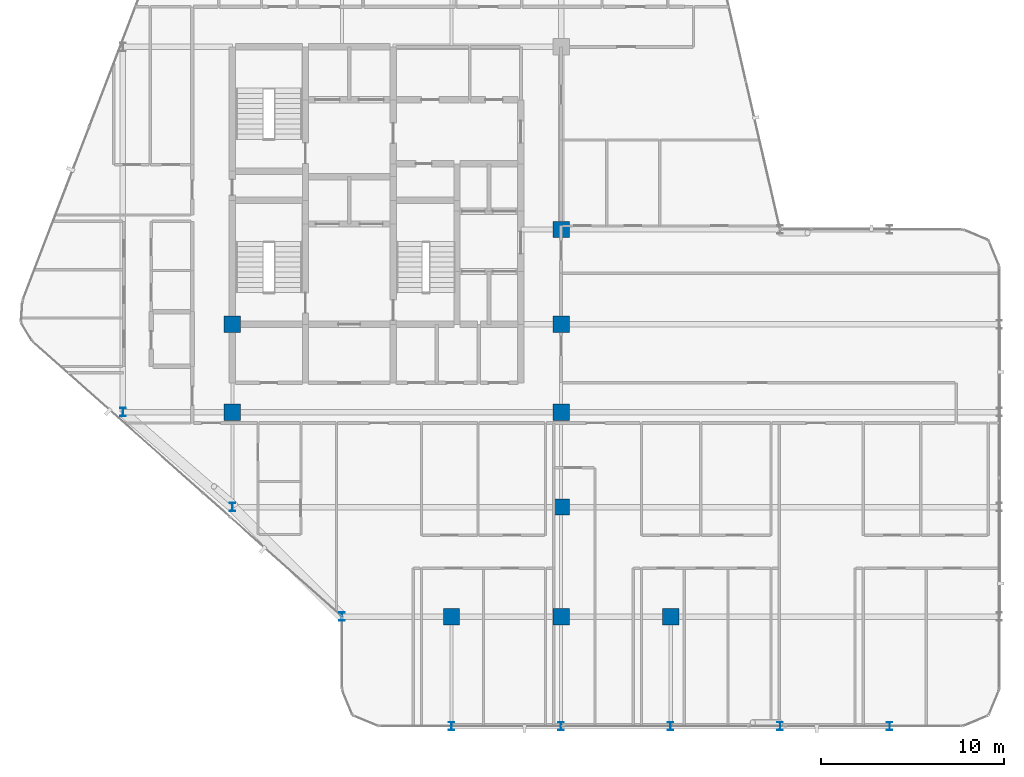
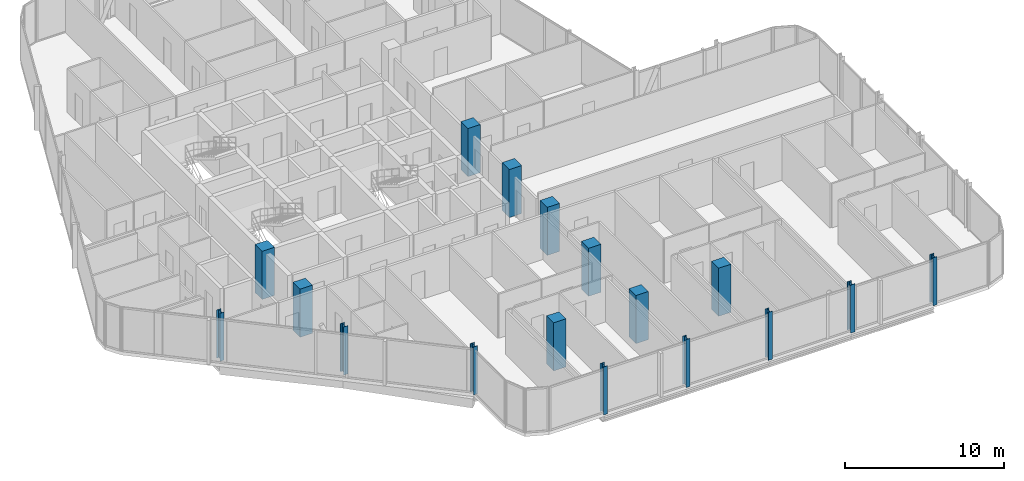
# One storey, part 1 of 29: 17 columns.
"""IFC4 building model written with IfcOpenShell, lengths in metres."""

from ifc_helpers import new_model, si_unit, direction, frame, origin, origin_2d, place, context, subcontext, project, spatial, rectangle, i_section, extrude, material, material_profile, profile_set, type_object, element, save


model = new_model("IFC4")

# Units and contexts
model_context = context("Model", 3, precision=1e-05, world=origin(), true_north=direction((0.0, 1.0)))
body_context = subcontext(model_context, "Body", "Model", "MODEL_VIEW")
ifc_project = project(units=[si_unit("LENGTHUNIT", "METRE"), si_unit("AREAUNIT", "SQUARE_METRE"), si_unit("VOLUMEUNIT", "CUBIC_METRE"), si_unit("PLANEANGLEUNIT", "RADIAN"), si_unit("MASSUNIT", "GRAM", prefix="KILO")], contexts=[model_context])

# Site, building, storey
site_placement = place(None, origin())
site = spatial("IfcSite", under=ifc_project, at=site_placement, CompositionType="ELEMENT")
building_placement = place(site_placement, origin())
building = spatial("IfcBuilding", under=site, at=building_placement, Name="Keshet Zoharim Tower", CompositionType="ELEMENT")
storey_placement = place(building_placement, frame((0.0, 0.0, 172.800048828125)))
storey = spatial("IfcBuildingStorey", under=building, at=storey_placement, Name="L42", CompositionType="ELEMENT", Elevation=172.800048828125)

# Columns
ifc_material_1 = material(Name="Steel S355", Category="steel")
ifc_material_profile_1 = material_profile(ifc_material_1, i_section(OverallWidth=0.300048828125, OverallDepth=0.449951171875, WebThickness=0.013916015625, FlangeThickness=0.02587890625, FilletRadius=0.027099609375, at=origin_2d()), Name="HEB450")
ifc_profile_set_1 = profile_set([ifc_material_profile_1], Name="Steel S355")
column_type_1 = type_object("IfcColumnType", Name="COL-HEB450", PredefinedType="COLUMN", material=ifc_profile_set_1)
for number, where, z_axis, x_axis, name in (
    (1, (9.0, 17.89990234375, 0.0), (0.0, 0.0, 1.0), (1.0, 0.0, 0.0), "L42 Column 2D"),
    (2, (15.0, 12.699951171875, 0.0), (0.0, 0.0, 1.0), (1.0, 0.0, 0.0), "L42 Column 3C"),
    (3, (21.0, 6.699951171875, 0.0), (0.0, 0.0, 1.0), (1.0, 0.0, 0.0), "L42 Column 4B"),
    (4, (27.0, 0.699951171875, 0.0), (0.0, 0.0, 1.0), (1.0, 0.0, 0.0), "L42 Column 5A"),
    (5, (33.0, 0.699951171875, 0.0), (0.0, 0.0, 1.0), (1.0, 0.0, 0.0), "L42 Column 6A"),
    (6, (39.0, 0.699951171875, 0.0), (0.0, 0.0, 1.0), (1.0, 0.0, 0.0), "L42 Column 7A"),
    (7, (45.0, 0.699951171875, 0.0), (0.0, 0.0, 1.0), (1.0, 0.0, 0.0), "L42 Column 8A"),
    (8, (51.0, 0.699951171875, 0.0), (0.0, 0.0, 1.0), (1.0, 0.0, 0.0), "L42 Column 9A"),
):
    element("IfcColumn", number, at=place(storey_placement, frame(where, z_axis=z_axis, x_axis=x_axis)), inside=storey, type_object=column_type_1, Name=name, PredefinedType="COLUMN", context=body_context, shape_type="SweptSolid", body=[
        extrude(i_section(OverallWidth=0.300048828125, OverallDepth=0.449951171875, WebThickness=0.013916015625, FlangeThickness=0.02587890625, FilletRadius=0.027099609375, at=origin_2d()), origin(), (0.0, 0.0, 1.0), 3.699951171875),
    ])
ifc_material_2 = material(Name="Concrete C60/75", Category="concrete")
ifc_material_profile_2 = material_profile(ifc_material_2, rectangle(XDim=0.89990234375, YDim=0.89990234375, at=origin_2d()), Name="RC900x900")
ifc_profile_set_2 = profile_set([ifc_material_profile_2], Name="Concrete C60/75")
column_type_2 = type_object("IfcColumnType", Name="COL-RC900", PredefinedType="COLUMN", material=ifc_profile_set_2)
for number, where, z_axis, x_axis, name in (
    (9, (15.0, 17.89990234375, 0.0), (0.0, 0.0, 1.0), (1.0, 0.0, 0.0), "L42 Column 3D"),
    (10, (15.0, 22.699951171875, 0.0), (0.0, 0.0, 1.0), (1.0, 0.0, 0.0), "L42 Column 3E"),
    (11, (27.0, 6.699951171875, 0.0), (0.0, 0.0, 1.0), (1.0, 0.0, 0.0), "L42 Column 5B"),
    (12, (33.0, 6.699951171875, 0.0), (0.0, 0.0, 1.0), (1.0, 0.0, 0.0), "L42 Column 6B"),
    (13, (33.0, 12.699951171875, 0.0), (0.0, 0.0, 1.0), (1.0, 0.0, 0.0), "L42 Column 6C"),
    (14, (33.0, 17.89990234375, 0.0), (0.0, 0.0, 1.0), (1.0, 0.0, 0.0), "L42 Column 6D"),
    (15, (33.0, 22.699951171875, 0.0), (0.0, 0.0, 1.0), (1.0, 0.0, 0.0), "L42 Column 6E"),
    (16, (33.0, 27.89990234375, 0.0), (0.0, 0.0, 1.0), (1.0, 0.0, 0.0), "L42 Column 6F"),
    (17, (39.0, 6.699951171875, 0.0), (0.0, 0.0, 1.0), (1.0, 0.0, 0.0), "L42 Column 7B"),
):
    element("IfcColumn", number, at=place(storey_placement, frame(where, z_axis=z_axis, x_axis=x_axis)), inside=storey, type_object=column_type_2, Name=name, PredefinedType="COLUMN", context=body_context, shape_type="SweptSolid", body=[
        extrude(rectangle(XDim=0.89990234375, YDim=0.89990234375, at=origin_2d()), origin(), (0.0, 0.0, 1.0), 3.699951171875),
    ])

save(model, "model.ifc")
